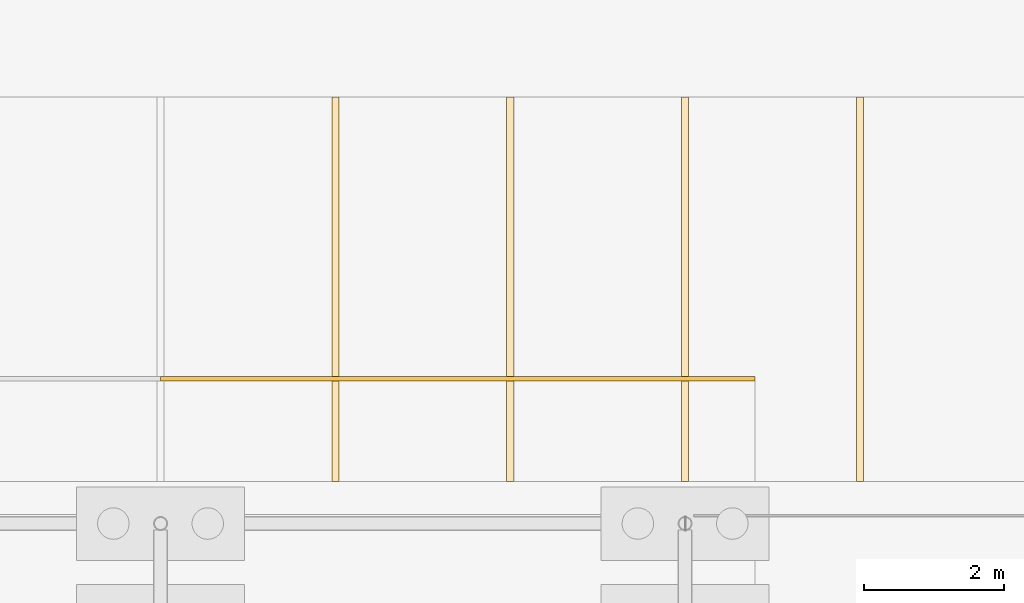
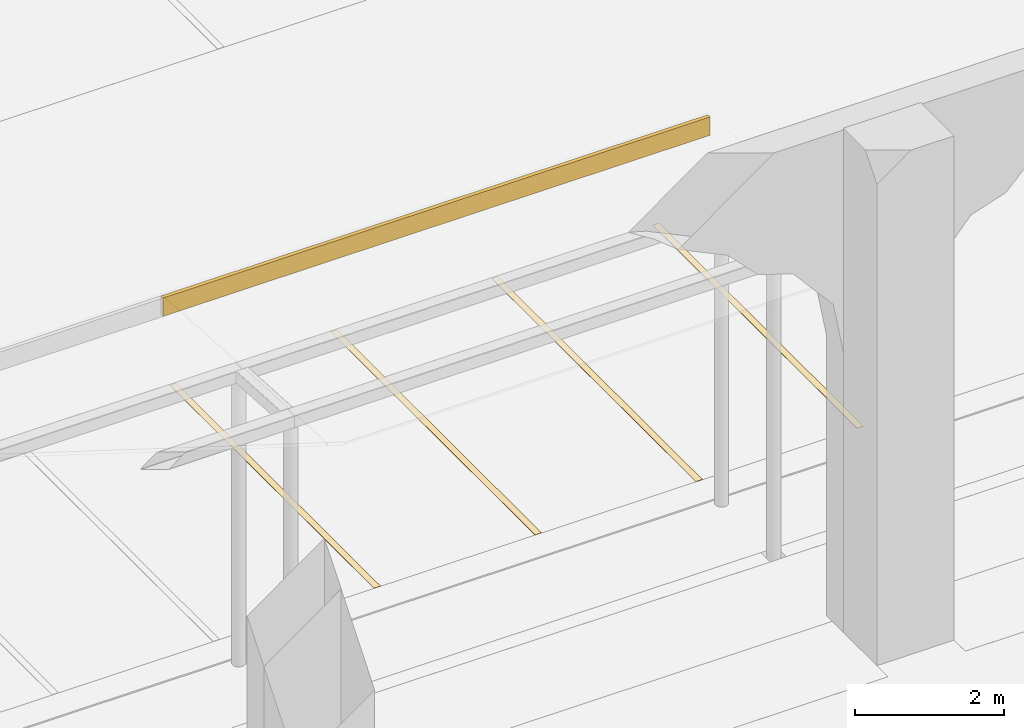
# One storey, part 217 of 250: 5 coverings.
"""IFC4 building model written with IfcOpenShell, lengths in metres."""

from ifc_helpers import new_model, si_unit, direction, frame, origin, origin_2d, place, context, subcontext, project, spatial, polyline, rectangle, outline, extrude, material, layer, layer_set, type_object, element, save


model = new_model("IFC4")

# Units and contexts
model_context = context("Model", 3, precision=1e-05, world=origin(), true_north=direction((0.0, 1.0)))
body_context = subcontext(model_context, "Body", "Model", "MODEL_VIEW")
ifc_project = project(units=[si_unit("LENGTHUNIT", "METRE"), si_unit("AREAUNIT", "SQUARE_METRE"), si_unit("VOLUMEUNIT", "CUBIC_METRE"), si_unit("PLANEANGLEUNIT", "RADIAN"), si_unit("MASSUNIT", "GRAM", prefix="KILO")], contexts=[model_context])

# Site, building, storey
site_placement = place(None, origin())
site = spatial("IfcSite", under=ifc_project, at=site_placement, CompositionType="ELEMENT")
building_placement = place(site_placement, origin())
building = spatial("IfcBuilding", under=site, at=building_placement, Name="Baradari Gate Terminus", CompositionType="ELEMENT")
storey_placement = place(building_placement, origin())
storey = spatial("IfcBuildingStorey", under=building, at=storey_placement, Name="L00", CompositionType="ELEMENT", Elevation=0.0)

# Coverings
ifc_material_1 = material(Name="Road marking paint, white")
ifc_layer_1 = layer(ifc_material_1, 0.0048828125)
ifc_layer_set_1 = layer_set([ifc_layer_1], Name="Road marking paint, white")
covering_type_1 = type_object("IfcCoveringType", Name="Bay line RM-1 5", PredefinedType="USERDEFINED", material=ifc_layer_set_1)
covering_1_placement = place(storey_placement, origin())
element("IfcCovering", 1, at=covering_1_placement, inside=storey, type_object=covering_type_1, Name="Bay line TX 6", ObjectType="ROAD MARKING", PredefinedType="USERDEFINED", context=body_context, shape_type="SweptSolid", body=[
    extrude(outline(polyline([(192.449951171875, 121.5), (192.550048828125, 121.5), (192.550048828125, 127.0), (192.449951171875, 127.0), (192.449951171875, 121.5)])), origin(), (0.0, 0.0, 1.0), 0.0048828125),
])
covering_2_placement = place(storey_placement, origin())
element("IfcCovering", 2, at=covering_2_placement, inside=storey, type_object=covering_type_1, Name="Bay line TX 7", ObjectType="ROAD MARKING", PredefinedType="USERDEFINED", context=body_context, shape_type="SweptSolid", body=[
    extrude(outline(polyline([(194.949951171875, 121.5), (195.050048828125, 121.5), (195.050048828125, 127.0), (194.949951171875, 127.0), (194.949951171875, 121.5)])), origin(), (0.0, 0.0, 1.0), 0.0048828125),
])
covering_3_placement = place(storey_placement, origin())
element("IfcCovering", 3, at=covering_3_placement, inside=storey, type_object=covering_type_1, Name="Bay line TX 8", ObjectType="ROAD MARKING", PredefinedType="USERDEFINED", context=body_context, shape_type="SweptSolid", body=[
    extrude(outline(polyline([(197.449951171875, 121.5), (197.550048828125, 121.5), (197.550048828125, 127.0), (197.449951171875, 127.0), (197.449951171875, 121.5)])), origin(), (0.0, 0.0, 1.0), 0.0048828125),
])
covering_4_placement = place(storey_placement, origin())
element("IfcCovering", 4, at=covering_4_placement, inside=storey, type_object=covering_type_1, Name="Bay line TX 9", ObjectType="ROAD MARKING", PredefinedType="USERDEFINED", context=body_context, shape_type="SweptSolid", body=[
    extrude(outline(polyline([(199.949951171875, 121.5), (200.050048828125, 121.5), (200.050048828125, 127.0), (199.949951171875, 127.0), (199.949951171875, 121.5)])), origin(), (0.0, 0.0, 1.0), 0.0048828125),
])
ifc_material_2 = material(Name="Weathering steel plate", Category="steel")
ifc_layer_2 = layer(ifc_material_2, 0.06005859375)
ifc_layer_set_2 = layer_set([ifc_layer_2], Name="Weathering steel plate")
covering_type_2 = type_object("IfcCoveringType", Name="Shelter fascia plate SH5 60", PredefinedType="CLADDING", material=ifc_layer_set_2)
covering_5_placement = place(storey_placement, frame((194.25, 122.969970703125, 4.4501953125), z_axis=(0.0, 0.0, 1.0), x_axis=(1.0, 0.0, 0.0)))
element("IfcCovering", 5, at=covering_5_placement, inside=storey, type_object=covering_type_2, Name="Taxi shelter fascia 2", PredefinedType="CLADDING", context=body_context, shape_type="SweptSolid", body=[
    extrude(rectangle(XDim=8.5, YDim=0.06005859375, at=origin_2d()), origin(), (0.0, 0.0, 1.0), 0.300048828125),
])

save(model, "model.ifc")
